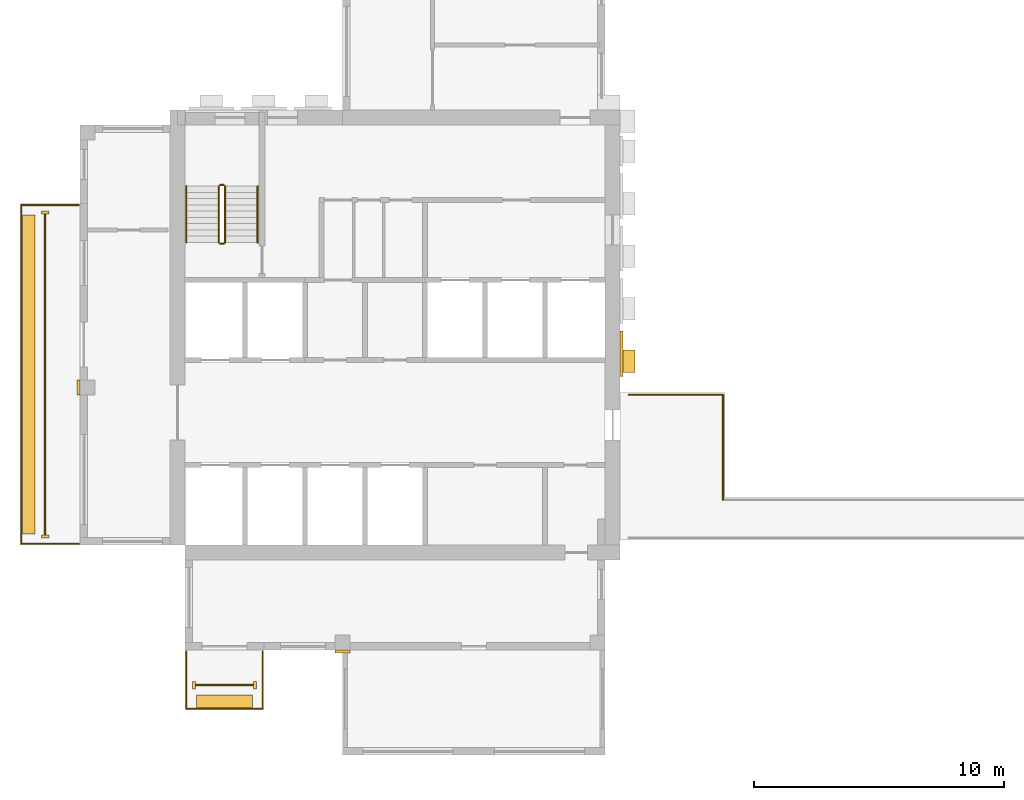
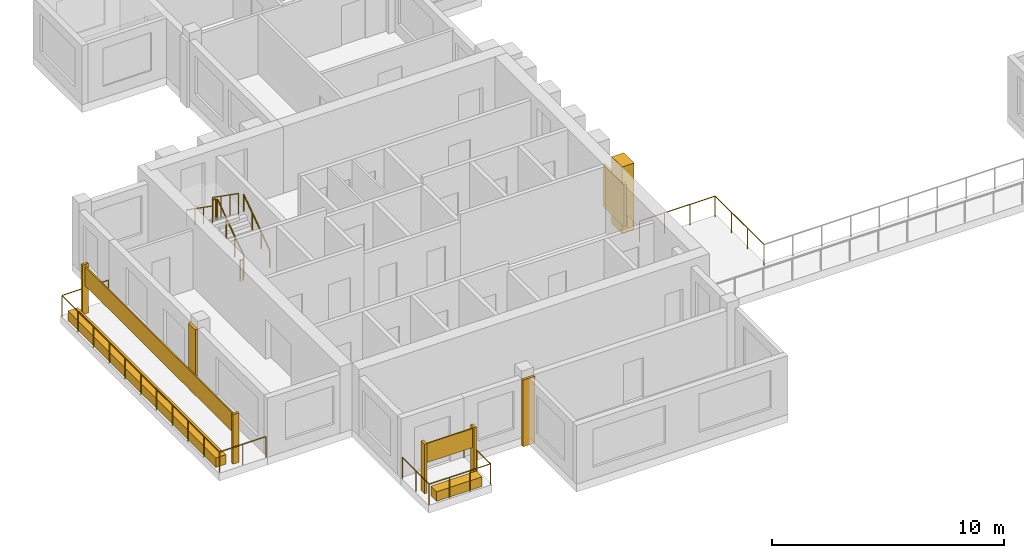
# One storey, part 6 of 9: 12 coverings, 10 railings.
"""IFC4 building model written with IfcOpenShell, lengths in metres."""

from ifc_helpers import new_model, si_unit, direction, frame, origin, origin_2d, place, context, subcontext, project, spatial, rectangle, circle, extrude, source, transform, mapped, material, type_object, element, save


model = new_model("IFC4")

# Units and contexts
model_context = context("Model", 3, precision=1e-05, world=origin(), true_north=direction((0.0, 1.0)))
body_context = subcontext(model_context, "Body", "Model", "MODEL_VIEW")
ifc_project = project(units=[si_unit("LENGTHUNIT", "METRE"), si_unit("AREAUNIT", "SQUARE_METRE"), si_unit("VOLUMEUNIT", "CUBIC_METRE"), si_unit("PLANEANGLEUNIT", "RADIAN"), si_unit("MASSUNIT", "GRAM", prefix="KILO")], contexts=[model_context])

# Site, building, storey
site_placement = place(None, origin())
site = spatial("IfcSite", under=ifc_project, at=site_placement, CompositionType="ELEMENT")
building_placement = place(site_placement, origin())
building = spatial("IfcBuilding", under=site, at=building_placement, Name="Aurelian Terraces", CompositionType="ELEMENT")
storey_placement = place(building_placement, frame((0.0, 0.0, 333.5)))
storey = spatial("IfcBuildingStorey", under=building, at=storey_placement, Name="L78", CompositionType="ELEMENT", Elevation=333.5)

# Railing
ifc_material_1 = material(Name="Anodised aluminium", Category="aluminium")
railing_type_1 = type_object("IfcRailingType", Name="GUARD-1100", PredefinedType="GUARDRAIL", material=ifc_material_1)
railing_1_placement = place(storey_placement, frame((21.95, 10.21, 0.0)))
element("IfcRailing", 1, at=railing_1_placement, inside=storey, type_object=railing_type_1, Name="Terrace guard L78 PORTAL-B78.4", PredefinedType="GUARDRAIL", context=body_context, shape_type="SweptSolid", body=[
    extrude(circle(Radius=0.024, at=origin_2d()), frame((0.0, 0.0, 1.076), z_axis=(1.0, 0.0, 0.0), x_axis=(0.0, 1.0, 0.0)), (0.0, 0.0, 1.0), 3.76),
    extrude(circle(Radius=0.021, at=origin_2d()), origin(), (0.0, 0.0, 1.0), 1.052),
    extrude(circle(Radius=0.021, at=origin_2d()), frame((1.2533, 0.0, 0.0)), (0.0, 0.0, 1.0), 1.052),
    extrude(circle(Radius=0.021, at=origin_2d()), frame((2.5067, 0.0, 0.0)), (0.0, 0.0, 1.0), 1.052),
    extrude(circle(Radius=0.021, at=origin_2d()), frame((3.76, 0.0, 0.0)), (0.0, 0.0, 1.0), 1.052),
])

# Coverings
ifc_material_2 = material(Name="Terracotta rainscreen cladding relief", Category="masonry")
covering_type_1 = type_object("IfcCoveringType", Name="FIN-TC", PredefinedType="CLADDING", material=ifc_material_2)
shared_shape_1 = source(origin(), body_context, "Body", "SweptSolid", [
    extrude(rectangle(XDim=0.3, YDim=0.12, at=origin_2d()), origin(), (0.0, 0.0, 1.0), 2.6),
])
for number, where, z_axis, x_axis, name in (
    (2, (-1.4, 17.5, 0.0), (0.0, 0.0, 1.0), (1.0, 0.0, 0.0), "FIN L78 L78-F10-18.1"),
    (3, (-1.4, 4.55, 0.0), (0.0, 0.0, 1.0), (1.0, 0.0, 0.0), "FIN L78 L78-F10-18.2"),
):
    element("IfcCovering", number, at=place(storey_placement, frame(where, z_axis=z_axis, x_axis=x_axis)), inside=storey, type_object=covering_type_1, Name=name, PredefinedType="CLADDING", context=body_context, shape_type="MappedRepresentation", body=[
        mapped(shared_shape_1, transform((0.0, 0.0, 0.0), scale=1.0)),
    ])
shared_shape_2 = source(origin(), body_context, "Body", "SweptSolid", [
    extrude(rectangle(XDim=0.12, YDim=0.3, at=origin_2d()), origin(), (0.0, 0.0, 1.0), 2.6),
])
for number, where, z_axis, x_axis, name in (
    (4, (4.55, -1.4, 0.0), (0.0, 0.0, 1.0), (1.0, 0.0, 0.0), "FIN L78 L78-F01-01.1"),
    (5, (7.0, -1.4, 0.0), (0.0, 0.0, 1.0), (1.0, 0.0, 0.0), "FIN L78 L78-F01-01.2"),
):
    element("IfcCovering", number, at=place(storey_placement, frame(where, z_axis=z_axis, x_axis=x_axis)), inside=storey, type_object=covering_type_1, Name=name, PredefinedType="CLADDING", context=body_context, shape_type="MappedRepresentation", body=[
        mapped(shared_shape_2, transform((0.0, 0.0, 0.0), scale=1.0)),
    ])

# Railing
shared_shape_3 = source(origin(), body_context, "Body", "SweptSolid", [
    extrude(circle(Radius=0.024, at=origin_2d()), frame((0.0, 0.0, 1.076), z_axis=(-1.0, 0.0, 0.0), x_axis=(0.0, -1.0, 0.0)), (0.0, 0.0, 1.0), 2.3),
    extrude(circle(Radius=0.024, at=origin_2d()), frame((-2.3, 0.0, 1.076), z_axis=(0.0, -1.0, 0.0), x_axis=(1.0, 0.0, 0.0)), (0.0, 0.0, 1.0), 13.55),
    extrude(circle(Radius=0.024, at=origin_2d()), frame((-2.3, -13.55, 1.076), z_axis=(1.0, 0.0, 0.0), x_axis=(0.0, 1.0, 0.0)), (0.0, 0.0, 1.0), 2.3),
    extrude(circle(Radius=0.021, at=origin_2d()), origin(), (0.0, 0.0, 1.0), 1.052),
    extrude(circle(Radius=0.021, at=origin_2d()), frame((-1.15, 0.0, 0.0)), (0.0, 0.0, 1.0), 1.052),
    extrude(circle(Radius=0.021, at=origin_2d()), frame((-2.3, 0.0, 0.0)), (0.0, 0.0, 1.0), 1.052),
    extrude(circle(Radius=0.021, at=origin_2d()), frame((-2.3, -1.355, 0.0)), (0.0, 0.0, 1.0), 1.052),
    extrude(circle(Radius=0.021, at=origin_2d()), frame((-2.3, -2.71, 0.0)), (0.0, 0.0, 1.0), 1.052),
    extrude(circle(Radius=0.021, at=origin_2d()), frame((-2.3, -4.065, 0.0)), (0.0, 0.0, 1.0), 1.052),
    extrude(circle(Radius=0.021, at=origin_2d()), frame((-2.3, -5.42, 0.0)), (0.0, 0.0, 1.0), 1.052),
    extrude(circle(Radius=0.021, at=origin_2d()), frame((-2.3, -6.775, 0.0)), (0.0, 0.0, 1.0), 1.052),
    extrude(circle(Radius=0.021, at=origin_2d()), frame((-2.3, -8.13, 0.0)), (0.0, 0.0, 1.0), 1.052),
    extrude(circle(Radius=0.021, at=origin_2d()), frame((-2.3, -9.485, 0.0)), (0.0, 0.0, 1.0), 1.052),
    extrude(circle(Radius=0.021, at=origin_2d()), frame((-2.3, -10.84, 0.0)), (0.0, 0.0, 1.0), 1.052),
    extrude(circle(Radius=0.021, at=origin_2d()), frame((-2.3, -12.195, 0.0)), (0.0, 0.0, 1.0), 1.052),
    extrude(circle(Radius=0.021, at=origin_2d()), frame((-2.3, -13.55, 0.0)), (0.0, 0.0, 1.0), 1.052),
    extrude(circle(Radius=0.021, at=origin_2d()), frame((-1.15, -13.55, 0.0)), (0.0, 0.0, 1.0), 1.052),
    extrude(circle(Radius=0.021, at=origin_2d()), frame((0.0, -13.55, 0.0)), (0.0, 0.0, 1.0), 1.052),
])
railing_2_placement = place(storey_placement, frame((-0.05, 17.8, 0.0)))
element("IfcRailing", 6, at=railing_2_placement, inside=storey, type_object=railing_type_1, Name="Balcony guard L78 F10.18", PredefinedType="GUARDRAIL", context=body_context, shape_type="MappedRepresentation", body=[
    mapped(shared_shape_3, transform((0.0, 0.0, 0.0), scale=1.0)),
])

# Coverings
ifc_material_3 = material(Name="Terracotta planter with planting soil", Category="masonry")
covering_type_2 = type_object("IfcCoveringType", Name="PLANTER-TROUGH", PredefinedType="USERDEFINED", material=ifc_material_3)
shared_shape_4 = source(origin(), body_context, "Body", "SweptSolid", [
    extrude(rectangle(XDim=0.5, YDim=12.75, at=origin_2d()), origin(), (0.0, 0.0, 1.0), 0.5),
])
covering_1_placement = place(storey_placement, frame((-2.05, 11.025, 0.0), z_axis=(0.0, 0.0, 1.0), x_axis=(1.0, 0.0, 0.0)))
element("IfcCovering", 7, at=covering_1_placement, inside=storey, type_object=covering_type_2, Name="PLANTER L78 L78-F10-18", ObjectType="PLANTER", PredefinedType="USERDEFINED", context=body_context, shape_type="MappedRepresentation", body=[
    mapped(shared_shape_4, transform((0.0, 0.0, 0.0), scale=1.0)),
])
ifc_material_4 = material(Name="Terracotta rainscreen cladding", Category="masonry")
covering_type_3 = type_object("IfcCoveringType", Name="SCREEN-TC", PredefinedType="CLADDING", material=ifc_material_4)
shared_shape_5 = source(origin(), body_context, "Body", "SweptSolid", [
    extrude(rectangle(XDim=0.06, YDim=12.83, at=origin_2d()), origin(), (0.0, 0.0, 1.0), 1.0),
])
covering_2_placement = place(storey_placement, frame((-1.4, 11.025, 1.5), z_axis=(0.0, 0.0, 1.0), x_axis=(1.0, 0.0, 0.0)))
element("IfcCovering", 8, at=covering_2_placement, inside=storey, type_object=covering_type_3, Name="SCREEN L78 L78-F10-18", PredefinedType="CLADDING", context=body_context, shape_type="MappedRepresentation", body=[
    mapped(shared_shape_5, transform((0.0, 0.0, 0.0), scale=1.0)),
])

# Railings
shared_shape_6 = source(origin(), body_context, "Body", "SweptSolid", [
    extrude(circle(Radius=0.024, at=origin_2d()), frame((0.0, 0.0, 1.076), z_axis=(0.0, -1.0, 0.0), x_axis=(1.0, 0.0, 0.0)), (0.0, 0.0, 1.0), 4.2),
    extrude(circle(Radius=0.021, at=origin_2d()), origin(), (0.0, 0.0, 1.0), 1.052),
    extrude(circle(Radius=0.021, at=origin_2d()), frame((0.0, -1.4, 0.0)), (0.0, 0.0, 1.0), 1.052),
    extrude(circle(Radius=0.021, at=origin_2d()), frame((0.0, -2.8, 0.0)), (0.0, 0.0, 1.0), 1.052),
    extrude(circle(Radius=0.021, at=origin_2d()), frame((0.0, -4.2, 0.0)), (0.0, 0.0, 1.0), 1.052),
])
railing_3_placement = place(storey_placement, frame((25.71, 10.21, 0.0)))
element("IfcRailing", 9, at=railing_3_placement, inside=storey, type_object=railing_type_1, Name="Terrace guard L78 PORTAL-B78.5", PredefinedType="GUARDRAIL", context=body_context, shape_type="MappedRepresentation", body=[
    mapped(shared_shape_6, transform((0.0, 0.0, 0.0), scale=1.0)),
])
shared_shape_7 = source(origin(), body_context, "Body", "SweptSolid", [
    extrude(circle(Radius=0.024, at=origin_2d()), frame((0.0, 0.0, 1.076), z_axis=(0.0, -1.0, 0.0), x_axis=(1.0, 0.0, 0.0)), (0.0, 0.0, 1.0), 2.3),
    extrude(circle(Radius=0.024, at=origin_2d()), frame((0.0, -2.3, 1.076), z_axis=(1.0, 0.0, 0.0), x_axis=(0.0, 1.0, 0.0)), (0.0, 0.0, 1.0), 3.05),
    extrude(circle(Radius=0.024, at=origin_2d()), frame((3.05, -2.3, 1.076), z_axis=(0.0, 1.0, 0.0), x_axis=(-1.0, 0.0, 0.0)), (0.0, 0.0, 1.0), 2.3),
    extrude(circle(Radius=0.021, at=origin_2d()), origin(), (0.0, 0.0, 1.0), 1.052),
    extrude(circle(Radius=0.021, at=origin_2d()), frame((0.0, -1.15, 0.0)), (0.0, 0.0, 1.0), 1.052),
    extrude(circle(Radius=0.021, at=origin_2d()), frame((0.0, -2.3, 0.0)), (0.0, 0.0, 1.0), 1.052),
    extrude(circle(Radius=0.021, at=origin_2d()), frame((1.0167, -2.3, 0.0)), (0.0, 0.0, 1.0), 1.052),
    extrude(circle(Radius=0.021, at=origin_2d()), frame((2.0333, -2.3, 0.0)), (0.0, 0.0, 1.0), 1.052),
    extrude(circle(Radius=0.021, at=origin_2d()), frame((3.05, -2.3, 0.0)), (0.0, 0.0, 1.0), 1.052),
    extrude(circle(Radius=0.021, at=origin_2d()), frame((3.05, -1.15, 0.0)), (0.0, 0.0, 1.0), 1.052),
    extrude(circle(Radius=0.021, at=origin_2d()), frame((3.05, 0.0, 0.0)), (0.0, 0.0, 1.0), 1.052),
])
railing_4_placement = place(storey_placement, frame((4.25, -0.05, 0.0)))
element("IfcRailing", 10, at=railing_4_placement, inside=storey, type_object=railing_type_1, Name="Balcony guard L78 F01.1", PredefinedType="GUARDRAIL", context=body_context, shape_type="MappedRepresentation", body=[
    mapped(shared_shape_7, transform((0.0, 0.0, 0.0), scale=1.0)),
])

# Coverings
shared_shape_8 = source(origin(), body_context, "Body", "SweptSolid", [
    extrude(rectangle(XDim=2.25, YDim=0.5, at=origin_2d()), origin(), (0.0, 0.0, 1.0), 0.5),
])
covering_3_placement = place(storey_placement, frame((5.775, -2.05, 0.0), z_axis=(0.0, 0.0, 1.0), x_axis=(1.0, 0.0, 0.0)))
element("IfcCovering", 11, at=covering_3_placement, inside=storey, type_object=covering_type_2, Name="PLANTER L78 L78-F01-01", ObjectType="PLANTER", PredefinedType="USERDEFINED", context=body_context, shape_type="MappedRepresentation", body=[
    mapped(shared_shape_8, transform((0.0, 0.0, 0.0), scale=1.0)),
])
shared_shape_9 = source(origin(), body_context, "Body", "SweptSolid", [
    extrude(rectangle(XDim=2.33, YDim=0.06, at=origin_2d()), origin(), (0.0, 0.0, 1.0), 1.0),
])
covering_4_placement = place(storey_placement, frame((5.775, -1.4, 1.5), z_axis=(0.0, 0.0, 1.0), x_axis=(1.0, 0.0, 0.0)))
element("IfcCovering", 12, at=covering_4_placement, inside=storey, type_object=covering_type_3, Name="SCREEN L78 L78-F01-01", PredefinedType="CLADDING", context=body_context, shape_type="MappedRepresentation", body=[
    mapped(shared_shape_9, transform((0.0, 0.0, 0.0), scale=1.0)),
])
ifc_material_5 = material(Name="Terracotta rainscreen cladding louvre blades", Category="masonry")
covering_type_4 = type_object("IfcCoveringType", Name="LOUVRE-TC", PredefinedType="CLADDING", material=ifc_material_5)
shared_shape_10 = source(origin(), body_context, "Body", "SweptSolid", [
    extrude(rectangle(XDim=0.12, YDim=1.8, at=origin_2d()), origin(), (0.0, 0.0, 1.0), 2.2),
])
covering_5_placement = place(storey_placement, frame((21.66, 11.85, 0.45), z_axis=(0.0, 0.0, 1.0), x_axis=(1.0, 0.0, 0.0)))
element("IfcCovering", 13, at=covering_5_placement, inside=storey, type_object=covering_type_4, Name="LOUVRE L78 core face E.1", PredefinedType="CLADDING", context=body_context, shape_type="MappedRepresentation", body=[
    mapped(shared_shape_10, transform((0.0, 0.0, 0.0), scale=1.0)),
])
covering_type_5 = type_object("IfcCoveringType", Name="BAGUETTE-TC", PredefinedType="CLADDING", material=ifc_material_2)
shared_shape_11 = source(origin(), body_context, "Body", "SweptSolid", [
    extrude(rectangle(XDim=0.6, YDim=0.12, at=origin_2d()), origin(), (0.0, 0.0, 1.0), 3.5),
])
covering_6_placement = place(storey_placement, frame((10.5, -0.06, -0.4), z_axis=(0.0, 0.0, 1.0), x_axis=(1.0, 0.0, 0.0)))
element("IfcCovering", 14, at=covering_6_placement, inside=storey, type_object=covering_type_5, Name="BAGUETTE pier L78 1", PredefinedType="CLADDING", context=body_context, shape_type="MappedRepresentation", body=[
    mapped(shared_shape_11, transform((0.0, 0.0, 0.0), scale=1.0)),
])
shared_shape_12 = source(origin(), body_context, "Body", "SweptSolid", [
    extrude(rectangle(XDim=0.12, YDim=0.6, at=origin_2d()), origin(), (0.0, 0.0, 1.0), 3.5),
])
covering_7_placement = place(storey_placement, frame((-0.06, 10.5, -0.4), z_axis=(0.0, 0.0, 1.0), x_axis=(1.0, 0.0, 0.0)))
element("IfcCovering", 15, at=covering_7_placement, inside=storey, type_object=covering_type_5, Name="BAGUETTE pier L78 3", PredefinedType="CLADDING", context=body_context, shape_type="MappedRepresentation", body=[
    mapped(shared_shape_12, transform((0.0, 0.0, 0.0), scale=1.0)),
])

# Railings
ifc_material_6 = material(Name="Stainless steel", Category="steel")
railing_type_2 = type_object("IfcRailingType", Name="Stair guard 1100", PredefinedType="GUARDRAIL", material=ifc_material_6)
shared_shape_13 = source(origin(), body_context, "Body", "SweptSolid", [
    extrude(circle(Radius=0.024, at=origin_2d()), frame((0.0, 0.0, 1.076), z_axis=(-1.0, 0.0, 0.0), x_axis=(0.0, -1.0, 0.0)), (0.0, 0.0, 1.0), 0.15),
    extrude(circle(Radius=0.021, at=origin_2d()), origin(), (0.0, 0.0, 1.0), 1.052),
    extrude(circle(Radius=0.021, at=origin_2d()), frame((-0.15, 0.0, 0.0)), (0.0, 0.0, 1.0), 1.052),
])
for number, where, name in (
    (16, (5.75, 18.6, 1.75), "L78 S1 stair guard 2"),
    (17, (5.75, 16.25, 0.0), "L78 S1 stair guard 4"),
):
    element("IfcRailing", number, at=place(storey_placement, frame(where)), inside=storey, type_object=railing_type_2, Name=name, PredefinedType="GUARDRAIL", context=body_context, shape_type="MappedRepresentation", body=[
        mapped(shared_shape_13, transform((0.0, 0.0, 0.0), scale=1.0)),
    ])
shared_shape_14 = source(origin(), body_context, "Body", "SweptSolid", [
    extrude(circle(Radius=0.024, at=origin_2d()), frame((0.0, 0.0, 1.076), z_axis=(0.0, 0.819231920519, 0.573462344363), x_axis=(-1.0, 0.0, 0.0)), (0.0, 0.0, 1.0), 2.7465),
    extrude(circle(Radius=0.021, at=origin_2d()), origin(), (0.0, 0.0, 1.0), 1.052),
    extrude(circle(Radius=0.021, at=origin_2d()), frame((0.0, 0.75, 0.525)), (0.0, 0.0, 1.0), 1.052),
    extrude(circle(Radius=0.021, at=origin_2d()), frame((0.0, 1.5, 1.05)), (0.0, 0.0, 1.0), 1.052),
    extrude(circle(Radius=0.021, at=origin_2d()), frame((0.0, 2.25, 1.575)), (0.0, 0.0, 1.0), 1.052),
])
railing_5_placement = place(storey_placement, frame((5.8, 16.3, 0.175)))
element("IfcRailing", 18, at=railing_5_placement, inside=storey, type_object=railing_type_2, Name="L78 S1 stair guard 1", PredefinedType="GUARDRAIL", context=body_context, shape_type="MappedRepresentation", body=[
    mapped(shared_shape_14, transform((0.0, 0.0, 0.0), scale=1.0)),
])
shared_shape_15 = source(origin(), body_context, "Body", "SweptSolid", [
    extrude(circle(Radius=0.024, at=origin_2d()), frame((0.0, 0.0, 1.076), z_axis=(0.0, -0.819231920519, 0.573462344363), x_axis=(1.0, 0.0, 0.0)), (0.0, 0.0, 1.0), 2.7465),
    extrude(circle(Radius=0.021, at=origin_2d()), origin(), (0.0, 0.0, 1.0), 1.052),
    extrude(circle(Radius=0.021, at=origin_2d()), frame((0.0, -0.75, 0.525)), (0.0, 0.0, 1.0), 1.052),
    extrude(circle(Radius=0.021, at=origin_2d()), frame((0.0, -1.5, 1.05)), (0.0, 0.0, 1.0), 1.052),
    extrude(circle(Radius=0.021, at=origin_2d()), frame((0.0, -2.25, 1.575)), (0.0, 0.0, 1.0), 1.052),
])
railing_6_placement = place(storey_placement, frame((5.55, 18.55, 1.925)))
element("IfcRailing", 19, at=railing_6_placement, inside=storey, type_object=railing_type_2, Name="L78 S1 stair guard 3", PredefinedType="GUARDRAIL", context=body_context, shape_type="MappedRepresentation", body=[
    mapped(shared_shape_15, transform((0.0, 0.0, 0.0), scale=1.0)),
])
railing_type_3 = type_object("IfcRailingType", Name="Stair handrail", PredefinedType="HANDRAIL", material=ifc_material_6)
shared_shape_16 = source(origin(), body_context, "Body", "SweptSolid", [
    extrude(circle(Radius=0.024, at=origin_2d()), frame((0.0, 0.0, 0.876), z_axis=(0.0, 0.819231920519, 0.573462344363), x_axis=(-1.0, 0.0, 0.0)), (0.0, 0.0, 1.0), 2.7465),
    extrude(circle(Radius=0.021, at=origin_2d()), origin(), (0.0, 0.0, 1.0), 0.852),
    extrude(circle(Radius=0.021, at=origin_2d()), frame((0.0, 0.75, 0.525)), (0.0, 0.0, 1.0), 0.852),
    extrude(circle(Radius=0.021, at=origin_2d()), frame((0.0, 1.5, 1.05)), (0.0, 0.0, 1.0), 0.852),
    extrude(circle(Radius=0.021, at=origin_2d()), frame((0.0, 2.25, 1.575)), (0.0, 0.0, 1.0), 0.852),
])
railing_7_placement = place(storey_placement, frame((7.1, 16.3, 0.175)))
element("IfcRailing", 20, at=railing_7_placement, inside=storey, type_object=railing_type_3, Name="L78 S1 stair handrail 1", PredefinedType="HANDRAIL", context=body_context, shape_type="MappedRepresentation", body=[
    mapped(shared_shape_16, transform((0.0, 0.0, 0.0), scale=1.0)),
])
shared_shape_17 = source(origin(), body_context, "Body", "SweptSolid", [
    extrude(circle(Radius=0.024, at=origin_2d()), frame((0.0, 0.0, 0.876), z_axis=(0.0, -0.819231920519, 0.573462344363), x_axis=(1.0, 0.0, 0.0)), (0.0, 0.0, 1.0), 2.7465),
    extrude(circle(Radius=0.021, at=origin_2d()), origin(), (0.0, 0.0, 1.0), 0.852),
    extrude(circle(Radius=0.021, at=origin_2d()), frame((0.0, -0.75, 0.525)), (0.0, 0.0, 1.0), 0.852),
    extrude(circle(Radius=0.021, at=origin_2d()), frame((0.0, -1.5, 1.05)), (0.0, 0.0, 1.0), 0.852),
    extrude(circle(Radius=0.021, at=origin_2d()), frame((0.0, -2.25, 1.575)), (0.0, 0.0, 1.0), 0.852),
])
railing_8_placement = place(storey_placement, frame((4.25, 18.55, 1.925)))
element("IfcRailing", 21, at=railing_8_placement, inside=storey, type_object=railing_type_3, Name="L78 S1 stair handrail 2", PredefinedType="HANDRAIL", context=body_context, shape_type="MappedRepresentation", body=[
    mapped(shared_shape_17, transform((0.0, 0.0, 0.0), scale=1.0)),
])

# Covering
covering_type_6 = type_object("IfcCoveringType", Name="Core spine pier 900x600", PredefinedType="CLADDING", material=ifc_material_2)
shared_shape_18 = source(origin(), body_context, "Body", "SweptSolid", [
    extrude(rectangle(XDim=0.6, YDim=0.9, at=origin_2d()), origin(), (0.0, 0.0, 1.0), 3.5),
])
covering_8_placement = place(storey_placement, frame((21.9, 11.55, 0.0), z_axis=(0.0, 0.0, 1.0), x_axis=(1.0, 0.0, 0.0)))
element("IfcCovering", 22, at=covering_8_placement, inside=storey, type_object=covering_type_6, Name="Spine pier L78 E4", PredefinedType="CLADDING", context=body_context, shape_type="MappedRepresentation", body=[
    mapped(shared_shape_18, transform((0.0, 0.0, 0.0), scale=1.0)),
])

save(model, "model.ifc")
